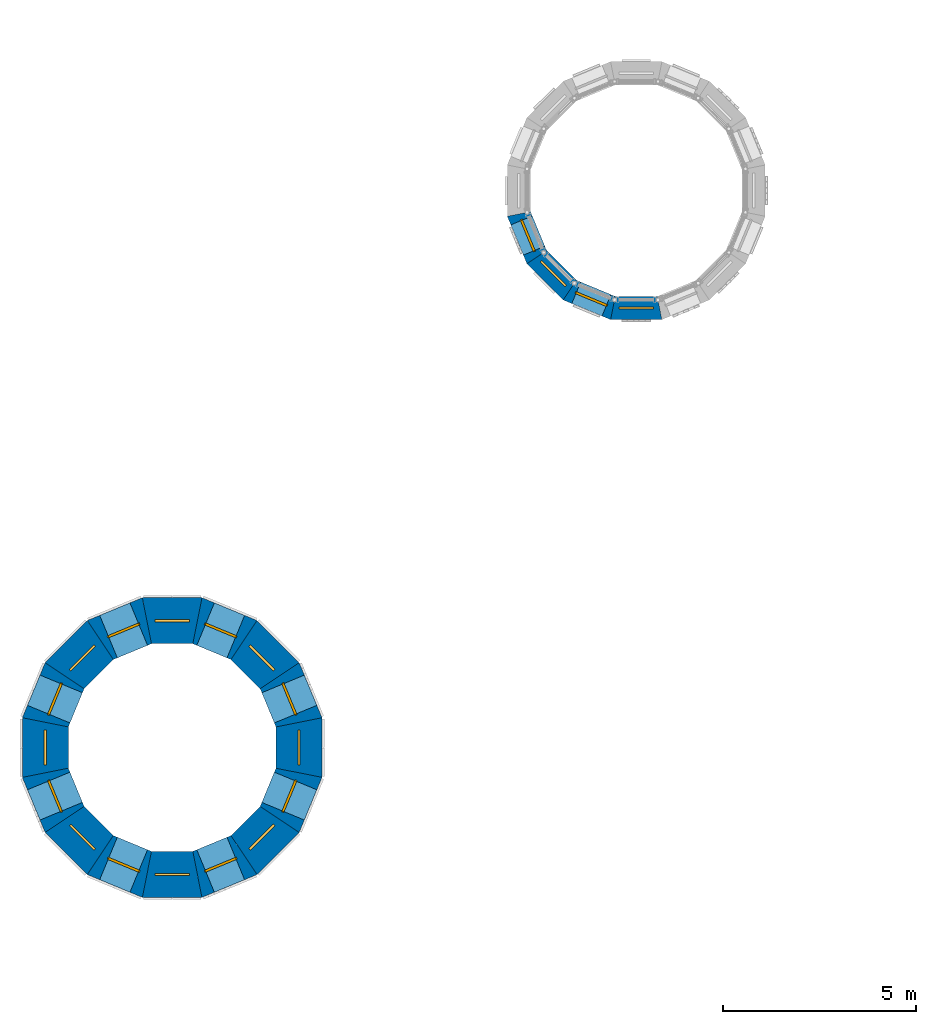
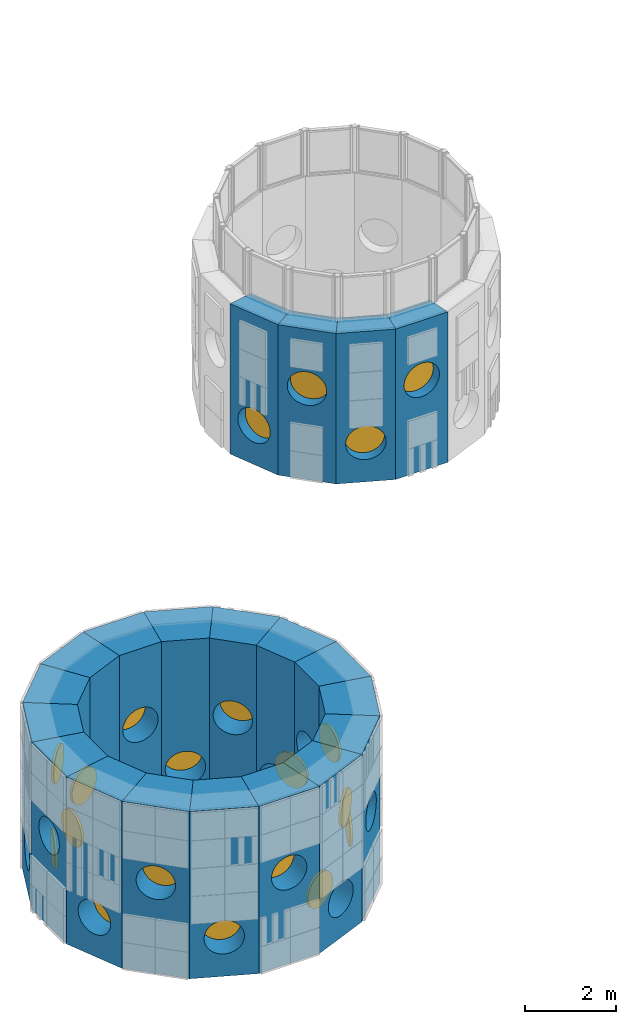
# One storey, part 26 of 42: 20 walls, 20 windows, 20 openings.
"""IFC4 building model written with IfcOpenShell, lengths in metres."""

import ifcopenshell
import ifcopenshell.guid

model = None  # the IFC model being written
_history = None  # IfcOwnerHistory: only IFC2X3 demands one
_inside = {}  # id of a spatial element -> (the spatial element, [elements in it])
_under = {}  # id of a project, library or spatial element -> (it, [spatial elements below it])
_declared = {}  # id of a project -> (the project, [libraries it declares])
_typed = {}  # id of a type object -> (the type object, [elements of that type])
_made_of = {}  # id of a material, layer set ... -> (it, [elements and type objects made of it])


def new_model(schema):
    """Start an empty IFC model of exactly this schema.

    Asked for "IFC4X3", IfcOpenShell would pick the latest addendum, in which some entities
    have other attributes; the version numbers below select the first issue.
    IFC2X3 requires an IfcOwnerHistory on every rooted entity: one is made here for all.
    """
    global model, _history
    if schema == "IFC4X3":
        model = ifcopenshell.file(schema_version=(4, 3, 0, 0))
    else:
        model = ifcopenshell.file(schema=schema)
    _inside.clear()
    _under.clear()
    _declared.clear()
    _typed.clear()
    _made_of.clear()
    _history = None
    if model.schema == "IFC2X3":
        org = make("IfcOrganization", Name="unknown")
        user = make(
            "IfcPersonAndOrganization",
            ThePerson=make("IfcPerson", FamilyName="unknown"),
            TheOrganization=org,
        )
        app = make(
            "IfcApplication",
            ApplicationDeveloper=org,
            Version="unknown",
            ApplicationFullName="unknown",
            ApplicationIdentifier="unknown",
        )
        _history = make(
            "IfcOwnerHistory",
            OwningUser=user,
            OwningApplication=app,
            ChangeAction="ADDED",
            CreationDate=0,
        )
    return model


def make(cls, **values):
    """One entity of the class cls with the attributes given. An attribute that is None is left unset."""
    return model.create_entity(
        cls, **{name: value for name, value in values.items() if value is not None}
    )


def rooted(cls, **values):
    """An entity with a GlobalId (a new one), such as an element, a storey or a relation."""
    return make(cls, GlobalId=ifcopenshell.guid.new(), OwnerHistory=_history, **values)


def si_unit(unit_type, name, prefix=None):
    """IfcSIUnit, for example si_unit("LENGTHUNIT", "METRE", prefix="MILLI")."""
    return make("IfcSIUnit", UnitType=unit_type, Prefix=prefix, Name=name)


def assignment(units):
    """IfcUnitAssignment: the units of a project."""
    return None if units is None else make("IfcUnitAssignment", Units=units)


def point(xyz):
    """IfcCartesianPoint."""
    return None if xyz is None else make("IfcCartesianPoint", Coordinates=xyz)


def direction(xyz):
    """IfcDirection."""
    return None if xyz is None else make("IfcDirection", DirectionRatios=xyz)


def frame(location, z_axis=None, x_axis=None):
    """IfcAxis2Placement3D, a coordinate frame: its origin and axes. An axis left out is left unset."""
    return make(
        "IfcAxis2Placement3D",
        Location=point(location),
        Axis=direction(z_axis),
        RefDirection=direction(x_axis),
    )


def frame_2d(location, x_axis=None):
    """IfcAxis2Placement2D, a coordinate frame in the plane: its origin and x axis."""
    return make(
        "IfcAxis2Placement2D", Location=point(location), RefDirection=direction(x_axis)
    )


def origin():
    """The frame at (0, 0, 0) with its axes left unset."""
    return frame((0.0, 0.0, 0.0))


def place(relative_to, where):
    """IfcLocalPlacement: puts the frame where relative to a parent placement (None: the world)."""
    return make(
        "IfcLocalPlacement", PlacementRelTo=relative_to, RelativePlacement=where
    )


def context(
    kind, dimensions, precision=None, world=None, true_north=None, identifier=None
):
    """IfcGeometricRepresentationContext, for example the 3D "Model" context."""
    return make(
        "IfcGeometricRepresentationContext",
        ContextIdentifier=identifier,
        ContextType=kind,
        CoordinateSpaceDimension=dimensions,
        Precision=precision,
        WorldCoordinateSystem=world,
        TrueNorth=true_north,
    )


def subcontext(parent, identifier, kind, view, scale=None):
    """IfcGeometricRepresentationSubContext, for example "Body" below "Model"."""
    return make(
        "IfcGeometricRepresentationSubContext",
        ContextIdentifier=identifier,
        ContextType=kind,
        ParentContext=parent,
        TargetScale=scale,
        TargetView=view,
    )


def project(units=None, contexts=None):
    """IfcProject with its units and contexts."""
    return rooted(
        "IfcProject",
        Name="project",
        RepresentationContexts=contexts,
        UnitsInContext=assignment(units),
    )


def spatial(cls, under=None, at=None, **own):
    """A site, building, storey or space (cls), placed at a placement, below another one or the project."""
    s = rooted(cls, ObjectPlacement=at, **own)
    if under is not None:
        _under.setdefault(under.id(), (under, []))[1].append(s)
    return s


def polyline(points):
    """IfcPolyline through the points."""
    return make("IfcPolyline", Points=[point(p) for p in points])


def profile(cls, at=None, kind="AREA", **sizes):
    """A parametric profile (cls). Its sizes go by their IFC names, for example OverallWidth=200.0."""
    return make(cls, ProfileType=kind, Position=at, **sizes)


def circle(**sizes):
    """IfcCircleProfileDef."""
    return profile("IfcCircleProfileDef", **sizes)


def outline(outer, holes=None, kind="AREA"):
    """IfcArbitraryClosedProfileDef: a profile drawn as a closed curve; with holes, ...WithVoids."""
    if holes is None:
        return make("IfcArbitraryClosedProfileDef", ProfileType=kind, OuterCurve=outer)
    return make(
        "IfcArbitraryProfileDefWithVoids",
        ProfileType=kind,
        OuterCurve=outer,
        InnerCurves=holes,
    )


def extrude(swept, where, along, depth):
    """IfcExtrudedAreaSolid: the profile swept, set in the frame where, extruded along a direction by depth."""
    return make(
        "IfcExtrudedAreaSolid",
        SweptArea=swept,
        Position=where,
        ExtrudedDirection=direction(along),
        Depth=depth,
    )


def shape(context_of_items, identifier, shape_type, items):
    """IfcShapeRepresentation: the items that make up one representation, for example the "Body"."""
    return make(
        "IfcShapeRepresentation",
        ContextOfItems=context_of_items,
        RepresentationIdentifier=identifier,
        RepresentationType=shape_type,
        Items=items,
    )


def material(Name=None, Category=None):
    """IfcMaterial."""
    return make("IfcMaterial", Name=Name, Category=Category)


def layer(
    of_material, thickness, ventilated=None, Name=None, Category=None, Priority=None
):
    """IfcMaterialLayer: one layer of a wall or slab, of a material (None: an air gap)."""
    return make(
        "IfcMaterialLayer",
        Material=of_material,
        LayerThickness=thickness,
        IsVentilated=ventilated,
        Name=Name,
        Category=Category,
        Priority=Priority,
    )


def layer_set(layers, Name=None):
    """IfcMaterialLayerSet."""
    return make("IfcMaterialLayerSet", MaterialLayers=layers, LayerSetName=Name)


def made_of(thing, what):
    """Note that an element or type object is made of a material, layer set ...; save() writes the relation."""
    if what is not None:
        _made_of.setdefault(what.id(), (what, []))[1].append(thing)
    return thing


def type_object(cls, material=None, **own):
    """A type object (cls), such as IfcWallType, which elements share."""
    return made_of(rooted(cls, **own), material)


def element(
    cls,
    number,
    at=None,
    inside=None,
    cuts=None,
    type_object=None,
    material=None,
    context=None,
    identifier="Body",
    shape_type=None,
    held_by="IfcProductDefinitionShape",
    body=None,
    shapes=None,
    **own,
):
    """One element of the class cls, such as IfcWall. Its Tag is "e" and its number.

    at: its placement. inside: the storey or other place that contains it. cuts: it is an
    opening in that element (IfcRelVoidsElement). A single representation is given by context,
    identifier, shape_type and body (its items); several are given by shapes. held_by: the class
    of the entity that holds the representations. save() writes the other relations.
    """
    e = rooted(cls, Tag="e%d" % number, ObjectPlacement=at, **own)
    if body is not None:
        shapes = [shape(context, identifier, shape_type, body)]
    if shapes is not None:
        e.Representation = make(held_by, Representations=shapes)
    if inside is not None:
        _inside.setdefault(inside.id(), (inside, []))[1].append(e)
    if cuts is not None:
        rooted(
            "IfcRelVoidsElement", RelatingBuildingElement=cuts, RelatedOpeningElement=e
        )
    if type_object is not None:
        _typed.setdefault(type_object.id(), (type_object, []))[1].append(e)
    return made_of(e, material)


def fill(opening, filler):
    """IfcRelFillsElement: the door or window that sits in an opening."""
    return rooted(
        "IfcRelFillsElement",
        RelatingOpeningElement=opening,
        RelatedBuildingElement=filler,
    )


def aggregate(whole, parts):
    """IfcRelAggregates: a whole, such as a stair, and the parts it consists of."""
    return rooted("IfcRelAggregates", RelatingObject=whole, RelatedObjects=parts)


def save(model, path):
    """Write the relations noted so far, then the file.

    IfcRelAggregates (storeys below a building ...), IfcRelContainedInSpatialStructure (elements
    in a storey), IfcRelDefinesByType, IfcRelAssociatesMaterial and IfcRelDeclares: one each for
    every whole, place, type object, material and project.
    """
    for whole, parts in _under.values():
        aggregate(whole, parts)
    for where, things in _inside.values():
        rooted(
            "IfcRelContainedInSpatialStructure",
            RelatedElements=things,
            RelatingStructure=where,
        )
    for kind, things in _typed.values():
        rooted("IfcRelDefinesByType", RelatedObjects=things, RelatingType=kind)
    for what, things in _made_of.values():
        rooted("IfcRelAssociatesMaterial", RelatedObjects=things, RelatingMaterial=what)
    for by, libraries in _declared.values():
        rooted("IfcRelDeclares", RelatingContext=by, RelatedDefinitions=libraries)
    model.write(path)


model = new_model("IFC4")

# Units and contexts
model_context = context("Model", 3, precision=1e-05, world=origin(), true_north=direction((0.0, 1.0)))
body_context = subcontext(model_context, "Body", "Model", "MODEL_VIEW")
ifc_project = project(units=[si_unit("LENGTHUNIT", "METRE"), si_unit("AREAUNIT", "SQUARE_METRE"), si_unit("VOLUMEUNIT", "CUBIC_METRE"), si_unit("PLANEANGLEUNIT", "RADIAN"), si_unit("MASSUNIT", "GRAM", prefix="KILO")], contexts=[model_context])

# Site, building, storey
site_placement = place(None, origin())
site = spatial("IfcSite", under=ifc_project, at=site_placement, CompositionType="ELEMENT")
building_placement = place(site_placement, origin())
building = spatial("IfcBuilding", under=site, at=building_placement, Name="Sun Court Science Centre", CompositionType="ELEMENT")
storey_placement = place(building_placement, frame((0.0, 0.0, 20.25)))
storey = spatial("IfcBuildingStorey", under=building, at=storey_placement, Name="L04", CompositionType="ELEMENT", Elevation=20.25)

# Wall, opening, window
ifc_material_1 = material(Name="Concrete C30/37", Category="concrete")
ifc_layer_1 = layer(ifc_material_1, 1.18798828125)
ifc_layer_set_1 = layer_set([ifc_layer_1], Name="Concrete C30/37")
wall_type_1 = type_object("IfcWallType", Name="RC cone ring wall exterior 1188", PredefinedType="SHEAR", material=ifc_layer_set_1)
wall_1_placement = place(storey_placement, frame((9.3251953125, 12.043212890625, -0.300048828125), z_axis=(0.0, 0.0, 1.0), x_axis=(-0.382724875529, 0.923862365102, 0.0)))
wall_1 = element("IfcWall", 1, at=wall_1_placement, inside=storey, type_object=wall_type_1, Name="Cone 1 ring wall L04 segment 1", PredefinedType="SHEAR", context=body_context, shape_type="SweptSolid", body=[
    extrude(outline(polyline([(0.0, -0.593994140625), (1.541259765625, -0.59423828125), (1.3046875, 0.59423828125), (0.236572265625, 0.594482421875), (0.0, -0.593994140625)])), origin(), (0.0, 0.0, 1.0), 4.5),
])
opening_1_placement = place(wall_1_placement, frame((0.320556640625, 0.0, 0.60009765625)))
opening_1 = element("IfcOpeningElement", 2, at=opening_1_placement, cuts=wall_1, Name="Opening WN-L04-001", PredefinedType="OPENING", context=body_context, shape_type="SweptSolid", body=[
    extrude(circle(Radius=0.449951171875, at=frame_2d((0.449951171875, 0.449951171875))), frame((0.0, 0.604248046875, 0.0), z_axis=(0.0, -1.0, 0.0), x_axis=(1.0, 0.0, 0.0)), (0.0, 0.0, 1.0), 1.20849609375),
])
ifc_material_2 = material(Name="Aluminium frame, 6-12-6 glazing", Category="aluminium")
window_type = type_object("IfcWindowType", Name="Round porthole 900", PartitioningType="SINGLE_PANEL", PredefinedType="WINDOW", material=ifc_material_2)
window_1_placement = place(opening_1_placement, origin())
window_1 = element("IfcWindow", 3, at=window_1_placement, inside=storey, type_object=window_type, Name="Round porthole cone 1 ring 5 01", OverallHeight=0.89990234375, OverallWidth=0.89990234375, PartitioningType="SINGLE_PANEL", PredefinedType="WINDOW", context=body_context, shape_type="SweptSolid", body=[
    extrude(circle(Radius=0.449951171875, at=frame_2d((0.449951171875, 0.449951171875))), frame((0.0, 0.030029296875, 0.0), z_axis=(0.0, -1.0, 0.0), x_axis=(1.0, 0.0, 0.0)), (0.0, 0.0, 1.0), 0.06005859375),
])
fill(opening_1, window_1)

wall_2_placement = place(storey_placement, frame((8.864013671875, 13.2744140625, -0.300048828125), z_axis=(0.0, 0.0, 1.0), x_axis=(-0.707106781187, 0.707106781187, 0.0)))
wall_2 = element("IfcWall", 4, at=wall_2_placement, inside=storey, type_object=wall_type_1, Name="Cone 1 ring wall L04 segment 2", PredefinedType="SHEAR", context=body_context, shape_type="SweptSolid", body=[
    extrude(outline(polyline([(0.0, -0.59423828125), (1.541015625, -0.59423828125), (1.3046875, 0.59423828125), (0.236083984375, 0.59423828125), (0.0, -0.59423828125)])), origin(), (0.0, 0.0, 1.0), 4.5),
])
opening_2_placement = place(wall_2_placement, frame((0.320556640625, 0.0, 2.0)))
opening_2 = element("IfcOpeningElement", 5, at=opening_2_placement, cuts=wall_2, Name="Opening WN-L04-009", PredefinedType="OPENING", context=body_context, shape_type="SweptSolid", body=[
    extrude(circle(Radius=0.449951171875, at=frame_2d((0.449951171875, 0.449951171875))), frame((0.0, 0.604248046875, 0.0), z_axis=(0.0, -1.0, 0.0), x_axis=(1.0, 0.0, 0.0)), (0.0, 0.0, 1.0), 1.20849609375),
])
window_2_placement = place(opening_2_placement, origin())
window_2 = element("IfcWindow", 6, at=window_2_placement, inside=storey, type_object=window_type, Name="Round porthole cone 1 ring 5 02", OverallHeight=0.89990234375, OverallWidth=0.89990234375, PartitioningType="SINGLE_PANEL", PredefinedType="WINDOW", context=body_context, shape_type="SweptSolid", body=[
    extrude(circle(Radius=0.449951171875, at=frame_2d((0.449951171875, 0.449951171875))), frame((0.0, 0.030029296875, 0.0), z_axis=(0.0, -1.0, 0.0), x_axis=(1.0, 0.0, 0.0)), (0.0, 0.0, 1.0), 0.06005859375),
])
fill(opening_2, window_2)

wall_3_placement = place(storey_placement, frame((7.967041015625, 14.2353515625, -0.300048828125), z_axis=(0.0, 0.0, 1.0), x_axis=(-0.923862365102, 0.382724875529, 0.0)))
wall_3 = element("IfcWall", 7, at=wall_3_placement, inside=storey, type_object=wall_type_1, Name="Cone 1 ring wall L04 segment 3", PredefinedType="SHEAR", context=body_context, shape_type="SweptSolid", body=[
    extrude(outline(polyline([(-0.000244140625, -0.59423828125), (1.541259765625, -0.593994140625), (1.3046875, 0.594482421875), (0.236328125, 0.59423828125), (-0.000244140625, -0.59423828125)])), origin(), (0.0, 0.0, 1.0), 4.5),
])
opening_3_placement = place(wall_3_placement, frame((0.320556640625, 0.0, 0.60009765625)))
opening_3 = element("IfcOpeningElement", 8, at=opening_3_placement, cuts=wall_3, Name="Opening WN-L04-002", PredefinedType="OPENING", context=body_context, shape_type="SweptSolid", body=[
    extrude(circle(Radius=0.449951171875, at=frame_2d((0.449951171875, 0.449951171875))), frame((0.0, 0.604248046875, 0.0), z_axis=(0.0, -1.0, 0.0), x_axis=(1.0, 0.0, 0.0)), (0.0, 0.0, 1.0), 1.20849609375),
])
window_3_placement = place(opening_3_placement, origin())
window_3 = element("IfcWindow", 9, at=window_3_placement, inside=storey, type_object=window_type, Name="Round porthole cone 1 ring 5 03", OverallHeight=0.89990234375, OverallWidth=0.89990234375, PartitioningType="SINGLE_PANEL", PredefinedType="WINDOW", context=body_context, shape_type="SweptSolid", body=[
    extrude(circle(Radius=0.449951171875, at=frame_2d((0.449951171875, 0.449951171875))), frame((0.0, 0.030029296875, 0.0), z_axis=(0.0, -1.0, 0.0), x_axis=(1.0, 0.0, 0.0)), (0.0, 0.0, 1.0), 0.06005859375),
])
fill(opening_3, window_3)

wall_4_placement = place(storey_placement, frame((6.7705078125, 14.77978515625, -0.300048828125), z_axis=(0.0, 0.0, 1.0), x_axis=(-1.0, 0.0, 0.0)))
wall_4 = element("IfcWall", 10, at=wall_4_placement, inside=storey, type_object=wall_type_1, Name="Cone 1 ring wall L04 segment 4", PredefinedType="SHEAR", context=body_context, shape_type="SweptSolid", body=[
    extrude(outline(polyline([(0.0, -0.59423828125), (1.541015625, -0.59423828125), (1.3046875, 0.59423828125), (0.236328125, 0.59423828125), (0.0, -0.59423828125)])), origin(), (0.0, 0.0, 1.0), 4.5),
])
opening_4_placement = place(wall_4_placement, frame((0.320556640625, 0.0, 2.0)))
opening_4 = element("IfcOpeningElement", 11, at=opening_4_placement, cuts=wall_4, Name="Opening WN-L04-010", PredefinedType="OPENING", context=body_context, shape_type="SweptSolid", body=[
    extrude(circle(Radius=0.449951171875, at=frame_2d((0.449951171875, 0.449951171875))), frame((0.0, 0.604248046875, 0.0), z_axis=(0.0, -1.0, 0.0), x_axis=(1.0, 0.0, 0.0)), (0.0, 0.0, 1.0), 1.20849609375),
])
window_4_placement = place(opening_4_placement, origin())
window_4 = element("IfcWindow", 12, at=window_4_placement, inside=storey, type_object=window_type, Name="Round porthole cone 1 ring 5 04", OverallHeight=0.89990234375, OverallWidth=0.89990234375, PartitioningType="SINGLE_PANEL", PredefinedType="WINDOW", context=body_context, shape_type="SweptSolid", body=[
    extrude(circle(Radius=0.449951171875, at=frame_2d((0.449951171875, 0.449951171875))), frame((0.0, 0.030029296875, 0.0), z_axis=(0.0, -1.0, 0.0), x_axis=(1.0, 0.0, 0.0)), (0.0, 0.0, 1.0), 0.06005859375),
])
fill(opening_4, window_4)

wall_5_placement = place(storey_placement, frame((5.456787109375, 14.8251953125, -0.300048828125), z_axis=(0.0, 0.0, 1.0), x_axis=(-0.923862365102, -0.382724875529, 0.0)))
wall_5 = element("IfcWall", 13, at=wall_5_placement, inside=storey, type_object=wall_type_1, Name="Cone 1 ring wall L04 segment 5", PredefinedType="SHEAR", context=body_context, shape_type="SweptSolid", body=[
    extrude(outline(polyline([(0.0, -0.593994140625), (1.541259765625, -0.59423828125), (1.3046875, 0.59423828125), (0.236572265625, 0.594482421875), (0.0, -0.593994140625)])), origin(), (0.0, 0.0, 1.0), 4.5),
])
opening_5_placement = place(wall_5_placement, frame((0.320556640625, 0.0, 0.60009765625)))
opening_5 = element("IfcOpeningElement", 14, at=opening_5_placement, cuts=wall_5, Name="Opening WN-L04-003", PredefinedType="OPENING", context=body_context, shape_type="SweptSolid", body=[
    extrude(circle(Radius=0.449951171875, at=frame_2d((0.449951171875, 0.449951171875))), frame((0.0, 0.604248046875, 0.0), z_axis=(0.0, -1.0, 0.0), x_axis=(1.0, 0.0, 0.0)), (0.0, 0.0, 1.0), 1.20849609375),
])
window_5_placement = place(opening_5_placement, origin())
window_5 = element("IfcWindow", 15, at=window_5_placement, inside=storey, type_object=window_type, Name="Round porthole cone 1 ring 5 05", OverallHeight=0.89990234375, OverallWidth=0.89990234375, PartitioningType="SINGLE_PANEL", PredefinedType="WINDOW", context=body_context, shape_type="SweptSolid", body=[
    extrude(circle(Radius=0.449951171875, at=frame_2d((0.449951171875, 0.449951171875))), frame((0.0, 0.030029296875, 0.0), z_axis=(0.0, -1.0, 0.0), x_axis=(1.0, 0.0, 0.0)), (0.0, 0.0, 1.0), 0.06005859375),
])
fill(opening_5, window_5)

wall_6_placement = place(storey_placement, frame((4.2255859375, 14.364013671875, -0.300048828125), z_axis=(0.0, 0.0, 1.0), x_axis=(-0.707106781187, -0.707106781187, 0.0)))
wall_6 = element("IfcWall", 16, at=wall_6_placement, inside=storey, type_object=wall_type_1, Name="Cone 1 ring wall L04 segment 6", PredefinedType="SHEAR", context=body_context, shape_type="SweptSolid", body=[
    extrude(outline(polyline([(0.0, -0.59423828125), (1.541015625, -0.59423828125), (1.3046875, 0.59423828125), (0.236083984375, 0.59423828125), (0.0, -0.59423828125)])), origin(), (0.0, 0.0, 1.0), 4.5),
])
opening_6_placement = place(wall_6_placement, frame((0.320556640625, 0.0, 2.0)))
opening_6 = element("IfcOpeningElement", 17, at=opening_6_placement, cuts=wall_6, Name="Opening WN-L04-011", PredefinedType="OPENING", context=body_context, shape_type="SweptSolid", body=[
    extrude(circle(Radius=0.449951171875, at=frame_2d((0.449951171875, 0.449951171875))), frame((0.0, 0.604248046875, 0.0), z_axis=(0.0, -1.0, 0.0), x_axis=(1.0, 0.0, 0.0)), (0.0, 0.0, 1.0), 1.20849609375),
])
window_6_placement = place(opening_6_placement, origin())
window_6 = element("IfcWindow", 18, at=window_6_placement, inside=storey, type_object=window_type, Name="Round porthole cone 1 ring 5 06", OverallHeight=0.89990234375, OverallWidth=0.89990234375, PartitioningType="SINGLE_PANEL", PredefinedType="WINDOW", context=body_context, shape_type="SweptSolid", body=[
    extrude(circle(Radius=0.449951171875, at=frame_2d((0.449951171875, 0.449951171875))), frame((0.0, 0.030029296875, 0.0), z_axis=(0.0, -1.0, 0.0), x_axis=(1.0, 0.0, 0.0)), (0.0, 0.0, 1.0), 0.06005859375),
])
fill(opening_6, window_6)

wall_7_placement = place(storey_placement, frame((3.2646484375, 13.467041015625, -0.300048828125), z_axis=(0.0, 0.0, 1.0), x_axis=(-0.382724875529, -0.923862365102, 0.0)))
wall_7 = element("IfcWall", 19, at=wall_7_placement, inside=storey, type_object=wall_type_1, Name="Cone 1 ring wall L04 segment 7", PredefinedType="SHEAR", context=body_context, shape_type="SweptSolid", body=[
    extrude(outline(polyline([(-0.000244140625, -0.59423828125), (1.541259765625, -0.593994140625), (1.3046875, 0.594482421875), (0.236328125, 0.59423828125), (-0.000244140625, -0.59423828125)])), origin(), (0.0, 0.0, 1.0), 4.5),
])
opening_7_placement = place(wall_7_placement, frame((0.320556640625, 0.0, 0.60009765625)))
opening_7 = element("IfcOpeningElement", 20, at=opening_7_placement, cuts=wall_7, Name="Opening WN-L04-004", PredefinedType="OPENING", context=body_context, shape_type="SweptSolid", body=[
    extrude(circle(Radius=0.449951171875, at=frame_2d((0.449951171875, 0.449951171875))), frame((0.0, 0.604248046875, 0.0), z_axis=(0.0, -1.0, 0.0), x_axis=(1.0, 0.0, 0.0)), (0.0, 0.0, 1.0), 1.20849609375),
])
window_7_placement = place(opening_7_placement, origin())
window_7 = element("IfcWindow", 21, at=window_7_placement, inside=storey, type_object=window_type, Name="Round porthole cone 1 ring 5 07", OverallHeight=0.89990234375, OverallWidth=0.89990234375, PartitioningType="SINGLE_PANEL", PredefinedType="WINDOW", context=body_context, shape_type="SweptSolid", body=[
    extrude(circle(Radius=0.449951171875, at=frame_2d((0.449951171875, 0.449951171875))), frame((0.0, 0.030029296875, 0.0), z_axis=(0.0, -1.0, 0.0), x_axis=(1.0, 0.0, 0.0)), (0.0, 0.0, 1.0), 0.06005859375),
])
fill(opening_7, window_7)

wall_8_placement = place(storey_placement, frame((2.72021484375, 12.2705078125, -0.300048828125), z_axis=(0.0, 0.0, 1.0), x_axis=(0.0, -1.0, 0.0)))
wall_8 = element("IfcWall", 22, at=wall_8_placement, inside=storey, type_object=wall_type_1, Name="Cone 1 ring wall L04 segment 8", PredefinedType="SHEAR", context=body_context, shape_type="SweptSolid", body=[
    extrude(outline(polyline([(0.0, -0.59423828125), (1.541015625, -0.59423828125), (1.3046875, 0.59423828125), (0.236328125, 0.59423828125), (0.0, -0.59423828125)])), origin(), (0.0, 0.0, 1.0), 4.5),
])
opening_8_placement = place(wall_8_placement, frame((0.320556640625, 0.0, 2.0)))
opening_8 = element("IfcOpeningElement", 23, at=opening_8_placement, cuts=wall_8, Name="Opening WN-L04-012", PredefinedType="OPENING", context=body_context, shape_type="SweptSolid", body=[
    extrude(circle(Radius=0.449951171875, at=frame_2d((0.449951171875, 0.449951171875))), frame((0.0, 0.604248046875, 0.0), z_axis=(0.0, -1.0, 0.0), x_axis=(1.0, 0.0, 0.0)), (0.0, 0.0, 1.0), 1.20849609375),
])
window_8_placement = place(opening_8_placement, origin())
window_8 = element("IfcWindow", 24, at=window_8_placement, inside=storey, type_object=window_type, Name="Round porthole cone 1 ring 5 08", OverallHeight=0.89990234375, OverallWidth=0.89990234375, PartitioningType="SINGLE_PANEL", PredefinedType="WINDOW", context=body_context, shape_type="SweptSolid", body=[
    extrude(circle(Radius=0.449951171875, at=frame_2d((0.449951171875, 0.449951171875))), frame((0.0, 0.030029296875, 0.0), z_axis=(0.0, -1.0, 0.0), x_axis=(1.0, 0.0, 0.0)), (0.0, 0.0, 1.0), 0.06005859375),
])
fill(opening_8, window_8)

wall_9_placement = place(storey_placement, frame((2.6748046875, 10.956787109375, -0.300048828125), z_axis=(0.0, 0.0, 1.0), x_axis=(0.382724875529, -0.923862365102, 0.0)))
wall_9 = element("IfcWall", 25, at=wall_9_placement, inside=storey, type_object=wall_type_1, Name="Cone 1 ring wall L04 segment 9", PredefinedType="SHEAR", context=body_context, shape_type="SweptSolid", body=[
    extrude(outline(polyline([(0.0, -0.593994140625), (1.541259765625, -0.59423828125), (1.3046875, 0.59423828125), (0.236572265625, 0.594482421875), (0.0, -0.593994140625)])), origin(), (0.0, 0.0, 1.0), 4.5),
])
opening_9_placement = place(wall_9_placement, frame((0.320556640625, 0.0, 0.60009765625)))
opening_9 = element("IfcOpeningElement", 26, at=opening_9_placement, cuts=wall_9, Name="Opening WN-L04-005", PredefinedType="OPENING", context=body_context, shape_type="SweptSolid", body=[
    extrude(circle(Radius=0.449951171875, at=frame_2d((0.449951171875, 0.449951171875))), frame((0.0, 0.604248046875, 0.0), z_axis=(0.0, -1.0, 0.0), x_axis=(1.0, 0.0, 0.0)), (0.0, 0.0, 1.0), 1.20849609375),
])
window_9_placement = place(opening_9_placement, origin())
window_9 = element("IfcWindow", 27, at=window_9_placement, inside=storey, type_object=window_type, Name="Round porthole cone 1 ring 5 09", OverallHeight=0.89990234375, OverallWidth=0.89990234375, PartitioningType="SINGLE_PANEL", PredefinedType="WINDOW", context=body_context, shape_type="SweptSolid", body=[
    extrude(circle(Radius=0.449951171875, at=frame_2d((0.449951171875, 0.449951171875))), frame((0.0, 0.030029296875, 0.0), z_axis=(0.0, -1.0, 0.0), x_axis=(1.0, 0.0, 0.0)), (0.0, 0.0, 1.0), 0.06005859375),
])
fill(opening_9, window_9)

wall_10_placement = place(storey_placement, frame((3.135986328125, 9.7255859375, -0.300048828125), z_axis=(0.0, 0.0, 1.0), x_axis=(0.707106781187, -0.707106781187, 0.0)))
wall_10 = element("IfcWall", 28, at=wall_10_placement, inside=storey, type_object=wall_type_1, Name="Cone 1 ring wall L04 segment 10", PredefinedType="SHEAR", context=body_context, shape_type="SweptSolid", body=[
    extrude(outline(polyline([(0.0, -0.59423828125), (1.541015625, -0.59423828125), (1.3046875, 0.59423828125), (0.236083984375, 0.59423828125), (0.0, -0.59423828125)])), origin(), (0.0, 0.0, 1.0), 4.5),
])
opening_10_placement = place(wall_10_placement, frame((0.320556640625, 0.0, 2.0)))
opening_10 = element("IfcOpeningElement", 29, at=opening_10_placement, cuts=wall_10, Name="Opening WN-L04-013", PredefinedType="OPENING", context=body_context, shape_type="SweptSolid", body=[
    extrude(circle(Radius=0.449951171875, at=frame_2d((0.449951171875, 0.449951171875))), frame((0.0, 0.604248046875, 0.0), z_axis=(0.0, -1.0, 0.0), x_axis=(1.0, 0.0, 0.0)), (0.0, 0.0, 1.0), 1.20849609375),
])
window_10_placement = place(opening_10_placement, origin())
window_10 = element("IfcWindow", 30, at=window_10_placement, inside=storey, type_object=window_type, Name="Round porthole cone 1 ring 5 10", OverallHeight=0.89990234375, OverallWidth=0.89990234375, PartitioningType="SINGLE_PANEL", PredefinedType="WINDOW", context=body_context, shape_type="SweptSolid", body=[
    extrude(circle(Radius=0.449951171875, at=frame_2d((0.449951171875, 0.449951171875))), frame((0.0, 0.030029296875, 0.0), z_axis=(0.0, -1.0, 0.0), x_axis=(1.0, 0.0, 0.0)), (0.0, 0.0, 1.0), 0.06005859375),
])
fill(opening_10, window_10)

wall_11_placement = place(storey_placement, frame((4.032958984375, 8.7646484375, -0.300048828125), z_axis=(0.0, 0.0, 1.0), x_axis=(0.923862365102, -0.382724875529, 0.0)))
wall_11 = element("IfcWall", 31, at=wall_11_placement, inside=storey, type_object=wall_type_1, Name="Cone 1 ring wall L04 segment 11", PredefinedType="SHEAR", context=body_context, shape_type="SweptSolid", body=[
    extrude(outline(polyline([(-0.000244140625, -0.59423828125), (1.541259765625, -0.593994140625), (1.3046875, 0.594482421875), (0.236328125, 0.59423828125), (-0.000244140625, -0.59423828125)])), origin(), (0.0, 0.0, 1.0), 4.5),
])
opening_11_placement = place(wall_11_placement, frame((0.320556640625, 0.0, 0.60009765625)))
opening_11 = element("IfcOpeningElement", 32, at=opening_11_placement, cuts=wall_11, Name="Opening WN-L04-006", PredefinedType="OPENING", context=body_context, shape_type="SweptSolid", body=[
    extrude(circle(Radius=0.449951171875, at=frame_2d((0.449951171875, 0.449951171875))), frame((0.0, 0.604248046875, 0.0), z_axis=(0.0, -1.0, 0.0), x_axis=(1.0, 0.0, 0.0)), (0.0, 0.0, 1.0), 1.20849609375),
])
window_11_placement = place(opening_11_placement, origin())
window_11 = element("IfcWindow", 33, at=window_11_placement, inside=storey, type_object=window_type, Name="Round porthole cone 1 ring 5 11", OverallHeight=0.89990234375, OverallWidth=0.89990234375, PartitioningType="SINGLE_PANEL", PredefinedType="WINDOW", context=body_context, shape_type="SweptSolid", body=[
    extrude(circle(Radius=0.449951171875, at=frame_2d((0.449951171875, 0.449951171875))), frame((0.0, 0.030029296875, 0.0), z_axis=(0.0, -1.0, 0.0), x_axis=(1.0, 0.0, 0.0)), (0.0, 0.0, 1.0), 0.06005859375),
])
fill(opening_11, window_11)

wall_12_placement = place(storey_placement, frame((5.2294921875, 8.22021484375, -0.300048828125), z_axis=(0.0, 0.0, 1.0), x_axis=(1.0, 0.0, 0.0)))
wall_12 = element("IfcWall", 34, at=wall_12_placement, inside=storey, type_object=wall_type_1, Name="Cone 1 ring wall L04 segment 12", PredefinedType="SHEAR", context=body_context, shape_type="SweptSolid", body=[
    extrude(outline(polyline([(0.0, -0.59423828125), (1.541015625, -0.59423828125), (1.3046875, 0.59423828125), (0.236328125, 0.59423828125), (0.0, -0.59423828125)])), origin(), (0.0, 0.0, 1.0), 4.5),
])
opening_12_placement = place(wall_12_placement, frame((0.320556640625, 0.0, 2.0)))
opening_12 = element("IfcOpeningElement", 35, at=opening_12_placement, cuts=wall_12, Name="Opening WN-L04-014", PredefinedType="OPENING", context=body_context, shape_type="SweptSolid", body=[
    extrude(circle(Radius=0.449951171875, at=frame_2d((0.449951171875, 0.449951171875))), frame((0.0, 0.604248046875, 0.0), z_axis=(0.0, -1.0, 0.0), x_axis=(1.0, 0.0, 0.0)), (0.0, 0.0, 1.0), 1.20849609375),
])
window_12_placement = place(opening_12_placement, origin())
window_12 = element("IfcWindow", 36, at=window_12_placement, inside=storey, type_object=window_type, Name="Round porthole cone 1 ring 5 12", OverallHeight=0.89990234375, OverallWidth=0.89990234375, PartitioningType="SINGLE_PANEL", PredefinedType="WINDOW", context=body_context, shape_type="SweptSolid", body=[
    extrude(circle(Radius=0.449951171875, at=frame_2d((0.449951171875, 0.449951171875))), frame((0.0, 0.030029296875, 0.0), z_axis=(0.0, -1.0, 0.0), x_axis=(1.0, 0.0, 0.0)), (0.0, 0.0, 1.0), 0.06005859375),
])
fill(opening_12, window_12)

wall_13_placement = place(storey_placement, frame((6.543212890625, 8.1748046875, -0.300048828125), z_axis=(0.0, 0.0, 1.0), x_axis=(0.923862365102, 0.382724875529, 0.0)))
wall_13 = element("IfcWall", 37, at=wall_13_placement, inside=storey, type_object=wall_type_1, Name="Cone 1 ring wall L04 segment 13", PredefinedType="SHEAR", context=body_context, shape_type="SweptSolid", body=[
    extrude(outline(polyline([(0.0, -0.593994140625), (1.541259765625, -0.59423828125), (1.3046875, 0.59423828125), (0.236572265625, 0.594482421875), (0.0, -0.593994140625)])), origin(), (0.0, 0.0, 1.0), 4.5),
])
opening_13_placement = place(wall_13_placement, frame((0.320556640625, 0.0, 0.60009765625)))
opening_13 = element("IfcOpeningElement", 38, at=opening_13_placement, cuts=wall_13, Name="Opening WN-L04-007", PredefinedType="OPENING", context=body_context, shape_type="SweptSolid", body=[
    extrude(circle(Radius=0.449951171875, at=frame_2d((0.449951171875, 0.449951171875))), frame((0.0, 0.604248046875, 0.0), z_axis=(0.0, -1.0, 0.0), x_axis=(1.0, 0.0, 0.0)), (0.0, 0.0, 1.0), 1.20849609375),
])
window_13_placement = place(opening_13_placement, origin())
window_13 = element("IfcWindow", 39, at=window_13_placement, inside=storey, type_object=window_type, Name="Round porthole cone 1 ring 5 13", OverallHeight=0.89990234375, OverallWidth=0.89990234375, PartitioningType="SINGLE_PANEL", PredefinedType="WINDOW", context=body_context, shape_type="SweptSolid", body=[
    extrude(circle(Radius=0.449951171875, at=frame_2d((0.449951171875, 0.449951171875))), frame((0.0, 0.030029296875, 0.0), z_axis=(0.0, -1.0, 0.0), x_axis=(1.0, 0.0, 0.0)), (0.0, 0.0, 1.0), 0.06005859375),
])
fill(opening_13, window_13)

wall_14_placement = place(storey_placement, frame((7.7744140625, 8.635986328125, -0.300048828125), z_axis=(0.0, 0.0, 1.0), x_axis=(0.707106781187, 0.707106781187, 0.0)))
wall_14 = element("IfcWall", 40, at=wall_14_placement, inside=storey, type_object=wall_type_1, Name="Cone 1 ring wall L04 segment 14", PredefinedType="SHEAR", context=body_context, shape_type="SweptSolid", body=[
    extrude(outline(polyline([(0.0, -0.59423828125), (1.541015625, -0.59423828125), (1.3046875, 0.59423828125), (0.236083984375, 0.59423828125), (0.0, -0.59423828125)])), origin(), (0.0, 0.0, 1.0), 4.5),
])
opening_14_placement = place(wall_14_placement, frame((0.320556640625, 0.0, 2.0)))
opening_14 = element("IfcOpeningElement", 41, at=opening_14_placement, cuts=wall_14, Name="Opening WN-L04-015", PredefinedType="OPENING", context=body_context, shape_type="SweptSolid", body=[
    extrude(circle(Radius=0.449951171875, at=frame_2d((0.449951171875, 0.449951171875))), frame((0.0, 0.604248046875, 0.0), z_axis=(0.0, -1.0, 0.0), x_axis=(1.0, 0.0, 0.0)), (0.0, 0.0, 1.0), 1.20849609375),
])
window_14_placement = place(opening_14_placement, origin())
window_14 = element("IfcWindow", 42, at=window_14_placement, inside=storey, type_object=window_type, Name="Round porthole cone 1 ring 5 14", OverallHeight=0.89990234375, OverallWidth=0.89990234375, PartitioningType="SINGLE_PANEL", PredefinedType="WINDOW", context=body_context, shape_type="SweptSolid", body=[
    extrude(circle(Radius=0.449951171875, at=frame_2d((0.449951171875, 0.449951171875))), frame((0.0, 0.030029296875, 0.0), z_axis=(0.0, -1.0, 0.0), x_axis=(1.0, 0.0, 0.0)), (0.0, 0.0, 1.0), 0.06005859375),
])
fill(opening_14, window_14)

wall_15_placement = place(storey_placement, frame((8.7353515625, 9.532958984375, -0.300048828125), z_axis=(0.0, 0.0, 1.0), x_axis=(0.382724875529, 0.923862365102, 0.0)))
wall_15 = element("IfcWall", 43, at=wall_15_placement, inside=storey, type_object=wall_type_1, Name="Cone 1 ring wall L04 segment 15", PredefinedType="SHEAR", context=body_context, shape_type="SweptSolid", body=[
    extrude(outline(polyline([(-0.000244140625, -0.59423828125), (1.541259765625, -0.593994140625), (1.3046875, 0.594482421875), (0.236328125, 0.59423828125), (-0.000244140625, -0.59423828125)])), origin(), (0.0, 0.0, 1.0), 4.5),
])
opening_15_placement = place(wall_15_placement, frame((0.320556640625, 0.0, 0.60009765625)))
opening_15 = element("IfcOpeningElement", 44, at=opening_15_placement, cuts=wall_15, Name="Opening WN-L04-008", PredefinedType="OPENING", context=body_context, shape_type="SweptSolid", body=[
    extrude(circle(Radius=0.449951171875, at=frame_2d((0.449951171875, 0.449951171875))), frame((0.0, 0.604248046875, 0.0), z_axis=(0.0, -1.0, 0.0), x_axis=(1.0, 0.0, 0.0)), (0.0, 0.0, 1.0), 1.20849609375),
])
window_15_placement = place(opening_15_placement, origin())
window_15 = element("IfcWindow", 45, at=window_15_placement, inside=storey, type_object=window_type, Name="Round porthole cone 1 ring 5 15", OverallHeight=0.89990234375, OverallWidth=0.89990234375, PartitioningType="SINGLE_PANEL", PredefinedType="WINDOW", context=body_context, shape_type="SweptSolid", body=[
    extrude(circle(Radius=0.449951171875, at=frame_2d((0.449951171875, 0.449951171875))), frame((0.0, 0.030029296875, 0.0), z_axis=(0.0, -1.0, 0.0), x_axis=(1.0, 0.0, 0.0)), (0.0, 0.0, 1.0), 0.06005859375),
])
fill(opening_15, window_15)

wall_16_placement = place(storey_placement, frame((9.27978515625, 10.7294921875, -0.300048828125), z_axis=(0.0, 0.0, 1.0), x_axis=(0.0, 1.0, 0.0)))
wall_16 = element("IfcWall", 46, at=wall_16_placement, inside=storey, type_object=wall_type_1, Name="Cone 1 ring wall L04 segment 16", PredefinedType="SHEAR", context=body_context, shape_type="SweptSolid", body=[
    extrude(outline(polyline([(0.0, -0.59423828125), (1.541015625, -0.59423828125), (1.3046875, 0.59423828125), (0.236328125, 0.59423828125), (0.0, -0.59423828125)])), origin(), (0.0, 0.0, 1.0), 4.5),
])
opening_16_placement = place(wall_16_placement, frame((0.320556640625, 0.0, 2.0)))
opening_16 = element("IfcOpeningElement", 47, at=opening_16_placement, cuts=wall_16, Name="Opening WN-L04-016", PredefinedType="OPENING", context=body_context, shape_type="SweptSolid", body=[
    extrude(circle(Radius=0.449951171875, at=frame_2d((0.449951171875, 0.449951171875))), frame((0.0, 0.604248046875, 0.0), z_axis=(0.0, -1.0, 0.0), x_axis=(1.0, 0.0, 0.0)), (0.0, 0.0, 1.0), 1.20849609375),
])
window_16_placement = place(opening_16_placement, origin())
window_16 = element("IfcWindow", 48, at=window_16_placement, inside=storey, type_object=window_type, Name="Round porthole cone 1 ring 5 16", OverallHeight=0.89990234375, OverallWidth=0.89990234375, PartitioningType="SINGLE_PANEL", PredefinedType="WINDOW", context=body_context, shape_type="SweptSolid", body=[
    extrude(circle(Radius=0.449951171875, at=frame_2d((0.449951171875, 0.449951171875))), frame((0.0, 0.030029296875, 0.0), z_axis=(0.0, -1.0, 0.0), x_axis=(1.0, 0.0, 0.0)), (0.0, 0.0, 1.0), 0.06005859375),
])
fill(opening_16, window_16)

ifc_material_3 = material(Name="Concrete C30/37", Category="concrete")
ifc_layer_2 = layer(ifc_material_3, 0.60009765625)
ifc_layer_set_2 = layer_set([ifc_layer_2], Name="Concrete C30/37")
wall_type_2 = type_object("IfcWallType", Name="RC cone ring wall exterior 600", PredefinedType="SHEAR", material=ifc_layer_set_2)
wall_17_placement = place(storey_placement, frame((14.9423828125, 25.3515625, -0.300048828125), z_axis=(0.0, 0.0, 1.0), x_axis=(0.382785205205, -0.923837370253, 0.0)))
wall_17 = element("IfcWall", 49, at=wall_17_placement, inside=storey, type_object=wall_type_2, Name="Cone 2 ring wall L04 segment 9", PredefinedType="SHEAR", context=body_context, shape_type="SweptSolid", body=[
    extrude(outline(polyline([(0.0, -0.2998046875), (1.326904296875, -0.300048828125), (1.20751953125, 0.2998046875), (0.11962890625, 0.300048828125), (0.0, -0.2998046875)])), origin(), (0.0, 0.0, 1.0), 4.050048828125),
])
opening_17_placement = place(wall_17_placement, frame((0.21337890625, 0.0, 0.60009765625)))
opening_17 = element("IfcOpeningElement", 50, at=opening_17_placement, cuts=wall_17, Name="Opening WN-L04-021", PredefinedType="OPENING", context=body_context, shape_type="SweptSolid", body=[
    extrude(circle(Radius=0.449951171875, at=frame_2d((0.449951171875, 0.449951171875))), frame((0.0, 0.31005859375, 0.0), z_axis=(0.0, -1.0, 0.0), x_axis=(1.0, 0.0, 0.0)), (0.0, 0.0, 1.0), 0.6201171875),
])
window_17_placement = place(opening_17_placement, origin())
window_17 = element("IfcWindow", 51, at=window_17_placement, inside=storey, type_object=window_type, Name="Round porthole cone 2 ring 5 09", OverallHeight=0.89990234375, OverallWidth=0.89990234375, PartitioningType="SINGLE_PANEL", PredefinedType="WINDOW", context=body_context, shape_type="SweptSolid", body=[
    extrude(circle(Radius=0.449951171875, at=frame_2d((0.449951171875, 0.449951171875))), frame((0.0, 0.030029296875, 0.0), z_axis=(0.0, -1.0, 0.0), x_axis=(1.0, 0.0, 0.0)), (0.0, 0.0, 1.0), 0.06005859375),
])
fill(opening_17, window_17)

wall_18_placement = place(storey_placement, frame((15.38525390625, 24.22314453125, -0.300048828125), z_axis=(0.0, 0.0, 1.0), x_axis=(0.707106781187, -0.707106781187, 0.0)))
wall_18 = element("IfcWall", 52, at=wall_18_placement, inside=storey, type_object=wall_type_2, Name="Cone 2 ring wall L04 segment 10", PredefinedType="SHEAR", context=body_context, shape_type="SweptSolid", body=[
    extrude(outline(polyline([(0.0, -0.300048828125), (1.326416015625, -0.300048828125), (1.20703125, 0.300048828125), (0.119384765625, 0.2998046875), (0.0, -0.300048828125)])), origin(), (0.0, 0.0, 1.0), 4.050048828125),
])
opening_18_placement = place(wall_18_placement, frame((0.21337890625, 0.0, 2.0)))
opening_18 = element("IfcOpeningElement", 53, at=opening_18_placement, cuts=wall_18, Name="Opening WN-L04-029", PredefinedType="OPENING", context=body_context, shape_type="SweptSolid", body=[
    extrude(circle(Radius=0.449951171875, at=frame_2d((0.449951171875, 0.449951171875))), frame((0.0, 0.31005859375, 0.0), z_axis=(0.0, -1.0, 0.0), x_axis=(1.0, 0.0, 0.0)), (0.0, 0.0, 1.0), 0.6201171875),
])
window_18_placement = place(opening_18_placement, origin())
window_18 = element("IfcWindow", 54, at=window_18_placement, inside=storey, type_object=window_type, Name="Round porthole cone 2 ring 5 10", OverallHeight=0.89990234375, OverallWidth=0.89990234375, PartitioningType="SINGLE_PANEL", PredefinedType="WINDOW", context=body_context, shape_type="SweptSolid", body=[
    extrude(circle(Radius=0.449951171875, at=frame_2d((0.449951171875, 0.449951171875))), frame((0.0, 0.030029296875, 0.0), z_axis=(0.0, -1.0, 0.0), x_axis=(1.0, 0.0, 0.0)), (0.0, 0.0, 1.0), 0.06005859375),
])
fill(opening_18, window_18)

wall_19_placement = place(storey_placement, frame((16.225830078125, 23.35009765625, -0.300048828125), z_axis=(0.0, 0.0, 1.0), x_axis=(0.923902440724, -0.382628122364, 0.0)))
wall_19 = element("IfcWall", 55, at=wall_19_placement, inside=storey, type_object=wall_type_2, Name="Cone 2 ring wall L04 segment 11", PredefinedType="SHEAR", context=body_context, shape_type="SweptSolid", body=[
    extrude(outline(polyline([(0.0, -0.2998046875), (1.32666015625, -0.300048828125), (1.207275390625, 0.300048828125), (0.119384765625, 0.30029296875), (0.0, -0.2998046875)])), origin(), (0.0, 0.0, 1.0), 4.050048828125),
])
opening_19_placement = place(wall_19_placement, frame((0.21337890625, 0.0, 0.60009765625)))
opening_19 = element("IfcOpeningElement", 56, at=opening_19_placement, cuts=wall_19, Name="Opening WN-L04-022", PredefinedType="OPENING", context=body_context, shape_type="SweptSolid", body=[
    extrude(circle(Radius=0.449951171875, at=frame_2d((0.449951171875, 0.449951171875))), frame((0.0, 0.31005859375, 0.0), z_axis=(0.0, -1.0, 0.0), x_axis=(1.0, 0.0, 0.0)), (0.0, 0.0, 1.0), 0.6201171875),
])
window_19_placement = place(opening_19_placement, origin())
window_19 = element("IfcWindow", 57, at=window_19_placement, inside=storey, type_object=window_type, Name="Round porthole cone 2 ring 5 11", OverallHeight=0.89990234375, OverallWidth=0.89990234375, PartitioningType="SINGLE_PANEL", PredefinedType="WINDOW", context=body_context, shape_type="SweptSolid", body=[
    extrude(circle(Radius=0.449951171875, at=frame_2d((0.449951171875, 0.449951171875))), frame((0.0, 0.030029296875, 0.0), z_axis=(0.0, -1.0, 0.0), x_axis=(1.0, 0.0, 0.0)), (0.0, 0.0, 1.0), 0.06005859375),
])
fill(opening_19, window_19)

wall_20_placement = place(storey_placement, frame((17.336669921875, 22.865234375, -0.300048828125), z_axis=(0.0, 0.0, 1.0), x_axis=(1.0, 0.0, 0.0)))
wall_20 = element("IfcWall", 58, at=wall_20_placement, inside=storey, type_object=wall_type_2, Name="Cone 2 ring wall L04 segment 12", PredefinedType="SHEAR", context=body_context, shape_type="SweptSolid", body=[
    extrude(outline(polyline([(0.0, -0.300048828125), (1.32666015625, -0.300048828125), (1.207275390625, 0.300048828125), (0.119384765625, 0.300048828125), (0.0, -0.300048828125)])), origin(), (0.0, 0.0, 1.0), 4.050048828125),
])
opening_20_placement = place(wall_20_placement, frame((0.21337890625, 0.0, 2.0)))
opening_20 = element("IfcOpeningElement", 59, at=opening_20_placement, cuts=wall_20, Name="Opening WN-L04-030", PredefinedType="OPENING", context=body_context, shape_type="SweptSolid", body=[
    extrude(circle(Radius=0.449951171875, at=frame_2d((0.449951171875, 0.449951171875))), frame((0.0, 0.31005859375, 0.0), z_axis=(0.0, -1.0, 0.0), x_axis=(1.0, 0.0, 0.0)), (0.0, 0.0, 1.0), 0.6201171875),
])
window_20_placement = place(opening_20_placement, origin())
window_20 = element("IfcWindow", 60, at=window_20_placement, inside=storey, type_object=window_type, Name="Round porthole cone 2 ring 5 12", OverallHeight=0.89990234375, OverallWidth=0.89990234375, PartitioningType="SINGLE_PANEL", PredefinedType="WINDOW", context=body_context, shape_type="SweptSolid", body=[
    extrude(circle(Radius=0.449951171875, at=frame_2d((0.449951171875, 0.449951171875))), frame((0.0, 0.030029296875, 0.0), z_axis=(0.0, -1.0, 0.0), x_axis=(1.0, 0.0, 0.0)), (0.0, 0.0, 1.0), 0.06005859375),
])
fill(opening_20, window_20)

save(model, "model.ifc")
